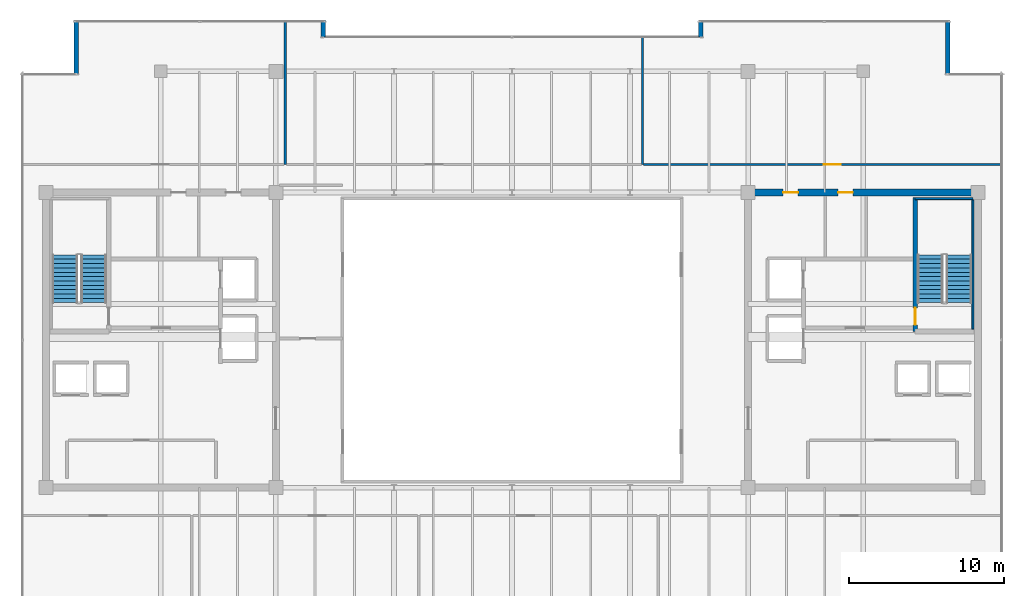
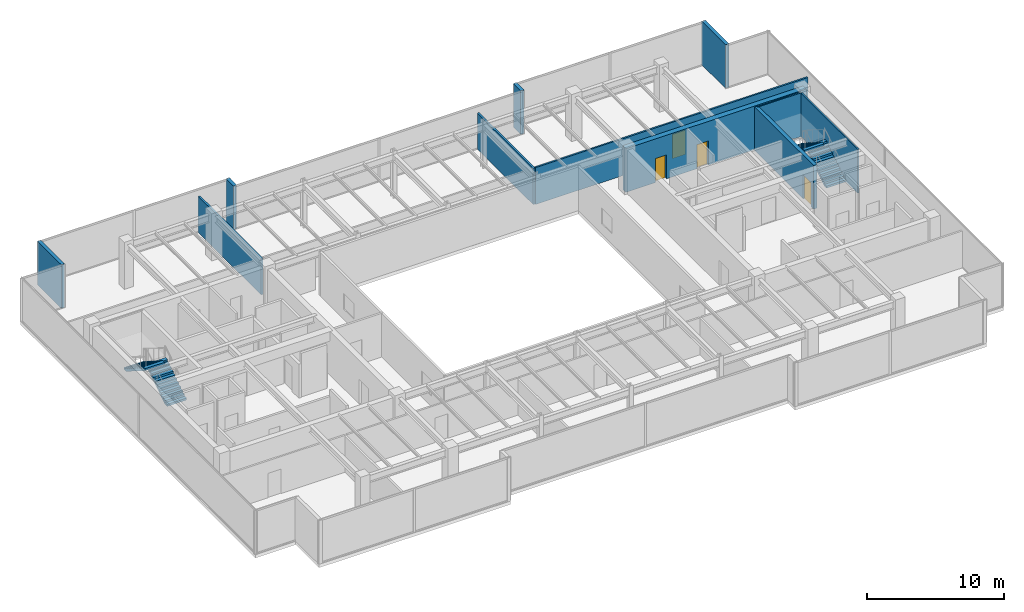
# One storey, part 29 of 31: 11 walls, 4 doors, 4 stair flights, 4 openings, 2 elements without a shape of their own.
"""IFC4 building model written with IfcOpenShell, lengths in metres."""

from ifc_helpers import new_model, si_unit, direction, frame, frame_2d, origin, place, context, subcontext, project, spatial, polyline, rectangle, outline, extrude, source, transform, mapped, material, layer, layer_set, type_object, type_shapes, element, fill, aggregate, save


model = new_model("IFC4")

# Units and contexts
model_context = context("Model", 3, precision=1e-05, world=origin(), true_north=direction((0.0, 1.0)))
body_context = subcontext(model_context, "Body", "Model", "MODEL_VIEW")
ifc_project = project(units=[si_unit("LENGTHUNIT", "METRE"), si_unit("AREAUNIT", "SQUARE_METRE"), si_unit("VOLUMEUNIT", "CUBIC_METRE"), si_unit("PLANEANGLEUNIT", "RADIAN"), si_unit("MASSUNIT", "GRAM", prefix="KILO")], contexts=[model_context])

# Site, building, storey
site_placement = place(None, origin())
site = spatial("IfcSite", under=ifc_project, at=site_placement, CompositionType="ELEMENT")
building_placement = place(site_placement, origin())
building = spatial("IfcBuilding", under=site, at=building_placement, Name="Haelvirn Gate Laboratories", CompositionType="ELEMENT")
storey_placement = place(building_placement, frame((0.0, 0.0, 318.60009765625)))
storey = spatial("IfcBuildingStorey", under=building, at=storey_placement, Name="L76", CompositionType="ELEMENT", Elevation=318.60009765625)

# Walls
ifc_material_1 = material(Name="Thermally-broken bronze aluminium rainscreen & mineral wool", Category="aluminium")
ifc_layer_1 = layer(ifc_material_1, 0.280029296875, Name="EW-TERR-280")
ifc_layer_set_1 = layer_set([ifc_layer_1], Name="Thermally-broken bronze aluminium rainscreen & mineral wool")
wall_type_1 = type_object("IfcWallType", Name="EW-TERR-280", PredefinedType="STANDARD", material=ifc_layer_set_1)
wall_1_placement = place(storey_placement, frame((65.4599609375, 41.412109375, 0.0), z_axis=(0.0, 0.0, 1.0), x_axis=(0.0, 1.0, 0.0)))
element("IfcWall", 1, at=wall_1_placement, inside=storey, type_object=wall_type_1, Name="L76 Atrium Recess Bronze Return Wall 09", PredefinedType="STANDARD", context=body_context, shape_type="SweptSolid", body=[
    extrude(rectangle(XDim=3.48779296875, YDim=0.280029296875, at=frame_2d((1.743896484375, 0.0))), origin(), (0.0, 0.0, 1.0), 3.89990234375),
])
for number, where, z_axis, x_axis, name in (
    (2, (49.5400390625, 44.89990234375, 0.0), (0.0, 0.0, 1.0), (0.0, -1.0, 0.0), "L76 Atrium Recess Bronze Return Wall 11"),
    (3, (25.260009765625, 43.806884765625, 0.0), (0.0, 0.0, 1.0), (0.0, 1.0, 0.0), "L76 Atrium Recess Bronze Return Wall 13"),
):
    element("IfcWall", number, at=place(storey_placement, frame(where, z_axis=z_axis, x_axis=x_axis)), inside=storey, type_object=wall_type_1, Name=name, PredefinedType="STANDARD", context=body_context, shape_type="SweptSolid", body=[
        extrude(rectangle(XDim=1.093017578125, YDim=0.280029296875, at=frame_2d((0.54638671875, 0.0))), origin(), (0.0, 0.0, 1.0), 3.89990234375),
    ])
wall_2_placement = place(storey_placement, frame((9.340087890625, 44.89990234375, 0.0), z_axis=(0.0, 0.0, 1.0), x_axis=(0.0, -1.0, 0.0)))
element("IfcWall", 4, at=wall_2_placement, inside=storey, type_object=wall_type_1, Name="L76 Atrium Recess Bronze Return Wall 15", PredefinedType="STANDARD", context=body_context, shape_type="SweptSolid", body=[
    extrude(rectangle(XDim=3.48779296875, YDim=0.280029296875, at=frame_2d((1.743896484375, 0.0))), origin(), (0.0, 0.0, 1.0), 3.89990234375),
])
ifc_material_2 = material(Name="Double-layer acoustic gypsum laboratory partition", Category="gypsum")
ifc_layer_2 = layer(ifc_material_2, 0.159912109375, Name="IW-ACOUST-160")
ifc_layer_set_2 = layer_set([ifc_layer_2], Name="Double-layer acoustic gypsum laboratory partition")
wall_type_2 = type_object("IfcWallType", Name="IW-ACOUST-160", PredefinedType="PARTITIONING", material=ifc_layer_set_2)
wall_3_placement = place(storey_placement, frame((22.800048828125, 35.60498046875, 0.0), z_axis=(0.0, 0.0, 1.0), x_axis=(0.0, 1.0, 0.0)))
element("IfcWall", 5, at=wall_3_placement, inside=storey, type_object=wall_type_2, Name="L76 Interior Wall IW-L76-NDIV-01", PredefinedType="PARTITIONING", context=body_context, shape_type="SweptSolid", body=[
    extrude(rectangle(XDim=9.18505859375, YDim=0.159912109375, at=frame_2d((4.592529296875, 0.0))), origin(), (0.0, 0.0, 1.0), 3.23486328125),
])
wall_4_placement = place(storey_placement, frame((45.800048828125, 35.60498046875, 0.0), z_axis=(0.0, 0.0, 1.0), x_axis=(0.0, 1.0, 0.0)))
element("IfcWall", 6, at=wall_4_placement, inside=storey, type_object=wall_type_2, Name="L76 Interior Wall IW-L76-NDIV-02", PredefinedType="PARTITIONING", context=body_context, shape_type="SweptSolid", body=[
    extrude(rectangle(XDim=8.18505859375, YDim=0.159912109375, at=frame_2d((4.092529296875, 0.0))), origin(), (0.0, 0.0, 1.0), 3.23486328125),
])

# Wall, opening, door
ifc_material_3 = material(Name="Acoustic mineral-wool gypsum board partition", Category="gypsum")
ifc_layer_3 = layer(ifc_material_3, 0.139892578125, Name="IW-PART-140")
ifc_layer_set_3 = layer_set([ifc_layer_3], Name="Acoustic mineral-wool gypsum board partition")
wall_type_3 = type_object("IfcWallType", Name="IW-PART-140", PredefinedType="PARTITIONING", material=ifc_layer_set_3)
wall_5_placement = place(storey_placement, frame((45.8798828125, 35.60498046875, 0.0), z_axis=(0.0, 0.0, 1.0), x_axis=(1.0, 0.0, 0.0)))
wall_5 = element("IfcWall", 7, at=wall_5_placement, inside=storey, type_object=wall_type_3, Name="L76 Interior Wall IW-L76-NCORR-03", PredefinedType="PARTITIONING", context=body_context, shape_type="SweptSolid", body=[
    extrude(rectangle(XDim=23.010009765625, YDim=0.139892578125, at=frame_2d((11.5048828125, 0.0))), origin(), (0.0, 0.0, 1.0), 3.296875),
])
opening_1_placement = place(wall_5_placement, frame((11.59130859375, 0.0, 0.0)))
opening_1 = element("IfcOpeningElement", 8, at=opening_1_placement, cuts=wall_5, Name="Opening D1", PredefinedType="OPENING", context=body_context, shape_type="SweptSolid", body=[
    extrude(rectangle(XDim=1.10009765625, YDim=2.179931640625, at=frame_2d((0.550048828125, 1.08984375))), frame((0.0, 0.080078125, 0.0), z_axis=(0.0, -1.0, 0.0), x_axis=(1.0, 0.0, 0.0)), (0.0, 0.0, 1.0), 0.159912109375),
])
ifc_material_4 = material(Name="Vision-panel acoustic solid-core timber lab door", Category="wood")
door_type_1 = type_object("IfcDoorType", Name="DR-LAB-1100", OperationType="NOTDEFINED", PredefinedType="DOOR", material=ifc_material_4)
shared_shape_1 = source(origin(), body_context, "Body", "SweptSolid", [
    extrude(rectangle(XDim=1.10009765625, YDim=2.179931640625, at=frame_2d((0.550048828125, 1.08984375))), frame((0.0, 0.02490234375, 0.0), z_axis=(0.0, -1.0, 0.0), x_axis=(1.0, 0.0, 0.0)), (0.0, 0.0, 1.0), 0.050048828125),
])
type_shapes(door_type_1, [shared_shape_1])
door_1_placement = place(opening_1_placement, origin())
door_1 = element("IfcDoor", 9, at=door_1_placement, inside=storey, type_object=door_type_1, Name="L76 Scientific Reference Library Door N3", OperationType="SINGLE_SWING_RIGHT", OverallHeight=2.179931640625, OverallWidth=1.10009765625, PredefinedType="DOOR", context=body_context, shape_type="MappedRepresentation", body=[
    mapped(shared_shape_1, transform((0.0, 0.0, 0.0), scale=1.0)),
])
fill(opening_1, door_1)

# Wall, openings, doors
ifc_material_5 = material(Name="Concrete C50/60", Category="concrete")
ifc_layer_4 = layer(ifc_material_5, 0.449951171875, Name="SW-CORE-450")
ifc_layer_set_4 = layer_set([ifc_layer_4], Name="Concrete C50/60")
wall_type_4 = type_object("IfcWallType", Name="SW-CORE-450", PredefinedType="SHEAR", material=ifc_layer_set_4)
wall_6_placement = place(storey_placement, frame((52.375, 33.800048828125, 0.0), z_axis=(0.0, 0.0, 1.0), x_axis=(1.0, 0.0, 0.0)))
wall_6 = element("IfcWall", 10, at=wall_6_placement, inside=storey, type_object=wall_type_4, Name="L76 E Core Shear Wall N", PredefinedType="SHEAR", context=body_context, shape_type="SweptSolid", body=[
    extrude(rectangle(XDim=15.25, YDim=0.449951171875, at=frame_2d((7.625, 0.0))), origin(), (0.0, 0.0, 1.0), 3.89990234375),
])
opening_2_placement = place(wall_6_placement, frame((6.02490234375, 0.0, 0.0)))
opening_2 = element("IfcOpeningElement", 11, at=opening_2_placement, cuts=wall_6, Name="Opening FD4", PredefinedType="OPENING", context=body_context, shape_type="SweptSolid", body=[
    extrude(rectangle(XDim=0.949951171875, YDim=2.14990234375, at=frame_2d((0.47509765625, 1.074951171875))), frame((0.0, 0.23486328125, 0.0), z_axis=(0.0, -1.0, 0.0), x_axis=(1.0, 0.0, 0.0)), (0.0, 0.0, 1.0), 0.469970703125),
])
opening_3_placement = place(wall_6_placement, frame((2.485107421875, 0.0, 0.0)))
opening_3 = element("IfcOpeningElement", 12, at=opening_3_placement, cuts=wall_6, Name="Opening FD4", PredefinedType="OPENING", context=body_context, shape_type="SweptSolid", body=[
    extrude(rectangle(XDim=0.949951171875, YDim=2.14990234375, at=frame_2d((0.47509765625, 1.074951171875))), frame((0.0, 0.23486328125, 0.0), z_axis=(0.0, -1.0, 0.0), x_axis=(1.0, 0.0, 0.0)), (0.0, 0.0, 1.0), 0.469970703125),
])
ifc_material_6 = material(Name="Fire-rated steel SM355 core service door", Category="steel")
door_type_2 = type_object("IfcDoorType", Name="DR-FD-950", OperationType="NOTDEFINED", PredefinedType="DOOR", material=ifc_material_6)
shared_shape_2 = source(origin(), body_context, "Body", "SweptSolid", [
    extrude(rectangle(XDim=0.949951171875, YDim=2.14990234375, at=frame_2d((0.47509765625, 1.074951171875))), frame((0.0, 0.02490234375, 0.0), z_axis=(0.0, -1.0, 0.0), x_axis=(1.0, 0.0, 0.0)), (0.0, 0.0, 1.0), 0.050048828125),
])
type_shapes(door_type_2, [shared_shape_2])
door_2_placement = place(opening_2_placement, origin())
door_2 = element("IfcDoor", 13, at=door_2_placement, inside=storey, type_object=door_type_2, Name="L76 Accessible Restroom Fire Door", OperationType="SINGLE_SWING_LEFT", OverallHeight=2.14990234375, OverallWidth=0.949951171875, PredefinedType="DOOR", context=body_context, shape_type="MappedRepresentation", body=[
    mapped(shared_shape_2, transform((0.0, 0.0, 0.0), scale=1.0)),
])
fill(opening_2, door_2)
door_3_placement = place(opening_3_placement, origin())
door_3 = element("IfcDoor", 14, at=door_3_placement, inside=storey, type_object=door_type_2, Name="L76 Staff Restroom Fire Door", OperationType="SINGLE_SWING_RIGHT", OverallHeight=2.14990234375, OverallWidth=0.949951171875, PredefinedType="DOOR", context=body_context, shape_type="MappedRepresentation", body=[
    mapped(shared_shape_2, transform((0.0, 0.0, 0.0), scale=1.0)),
])
fill(opening_3, door_3)

# Walls
ifc_layer_5 = layer(ifc_material_5, 0.1201171875, Name="SW-LINER-120")
ifc_layer_set_5 = layer_set([ifc_layer_5], Name="Concrete C50/60")
wall_type_5 = type_object("IfcWallType", Name="SW-LINER-120", PredefinedType="SOLIDWALL", material=ifc_layer_set_5)
wall_7_placement = place(storey_placement, frame((63.35009765625, 33.39990234375, 0.0), z_axis=(0.0, 0.0, 1.0), x_axis=(1.0, 0.0, 0.0)))
element("IfcWall", 15, at=wall_7_placement, inside=storey, type_object=wall_type_5, Name="L76 E Core Stair Shaft Liner Wall N", PredefinedType="SOLIDWALL", context=body_context, shape_type="SweptSolid", body=[
    extrude(rectangle(XDim=3.719970703125, YDim=0.1201171875, at=frame_2d((1.85986328125, 0.0))), origin(), (0.0, 0.0, 1.0), 3.89990234375),
])
wall_8_placement = place(storey_placement, frame((67.070068359375, 25.0, 0.0), z_axis=(0.0, 0.0, 1.0), x_axis=(0.0, 1.0, 0.0)))
element("IfcWall", 16, at=wall_8_placement, inside=storey, type_object=wall_type_5, Name="L76 E Core Stair Shaft Liner Wall OUT", PredefinedType="SOLIDWALL", context=body_context, shape_type="SweptSolid", body=[
    extrude(rectangle(XDim=8.320068359375, YDim=0.1201171875, at=frame_2d((4.16015625, 0.0))), origin(), (0.0, 0.0, 1.0), 3.89990234375),
])

# Wall, opening, door
ifc_layer_6 = layer(ifc_material_5, 0.300048828125, Name="SW-STAIR-300")
ifc_layer_set_6 = layer_set([ifc_layer_6], Name="Concrete C50/60")
wall_type_6 = type_object("IfcWallType", Name="SW-STAIR-300", PredefinedType="SHEAR", material=ifc_layer_set_6)
wall_9_placement = place(storey_placement, frame((63.35009765625, 24.85009765625, 0.0), z_axis=(0.0, 0.0, 1.0), x_axis=(0.0, 1.0, 0.0)))
wall_9 = element("IfcWall", 17, at=wall_9_placement, inside=storey, type_object=wall_type_6, Name="L76 E Core Stair Shaft Structural Wall IN", PredefinedType="SHEAR", context=body_context, shape_type="SweptSolid", body=[
    extrude(rectangle(XDim=8.6298828125, YDim=0.300048828125, at=frame_2d((4.31494140625, 0.0))), origin(), (0.0, 0.0, 1.0), 3.89990234375),
])
opening_4_placement = place(wall_9_placement, frame((0.419921875, 0.0, 0.0)))
opening_4 = element("IfcOpeningElement", 18, at=opening_4_placement, cuts=wall_9, Name="Opening FD3", PredefinedType="OPENING", context=body_context, shape_type="SweptSolid", body=[
    extrude(rectangle(XDim=1.10009765625, YDim=2.14990234375, at=frame_2d((0.550048828125, 1.074951171875))), frame((0.0, 0.16015625, 0.0), z_axis=(0.0, -1.0, 0.0), x_axis=(1.0, 0.0, 0.0)), (0.0, 0.0, 1.0), 0.320068359375),
])
ifc_material_7 = material(Name="Fire-rated steel SM355 escape stair door", Category="steel")
door_type_3 = type_object("IfcDoorType", Name="DR-FD-1100", OperationType="NOTDEFINED", PredefinedType="DOOR", material=ifc_material_7)
shared_shape_3 = source(origin(), body_context, "Body", "SweptSolid", [
    extrude(rectangle(XDim=1.10009765625, YDim=2.14990234375, at=frame_2d((0.550048828125, 1.074951171875))), frame((0.0, 0.02490234375, 0.0), z_axis=(0.0, -1.0, 0.0), x_axis=(1.0, 0.0, 0.0)), (0.0, 0.0, 1.0), 0.050048828125),
])
type_shapes(door_type_3, [shared_shape_3])
door_4_placement = place(opening_4_placement, origin())
door_4 = element("IfcDoor", 19, at=door_4_placement, inside=storey, type_object=door_type_3, Name="L76 Escape Stair ST2 Fire Door", OperationType="SINGLE_SWING_RIGHT", OverallHeight=2.14990234375, OverallWidth=1.10009765625, PredefinedType="DOOR", context=body_context, shape_type="MappedRepresentation", body=[
    mapped(shared_shape_3, transform((0.0, 0.0, 0.0), scale=1.0)),
])
fill(opening_4, door_4)

# Stair, stair flights
ifc_material_8 = material(Name="Concrete C40/50", Category="concrete")
stair_type = type_object("IfcStairType", Name="ST-DOG-1650-R24", PredefinedType="HALF_TURN_STAIR", material=ifc_material_8)
stair_1_placement = place(storey_placement, origin())
stair_1 = element("IfcStair", 20, at=stair_1_placement, inside=storey, type_object=stair_type, Name="L76 Escape Stair ST1", PredefinedType="HALF_TURN_STAIR")
stair_flight_type = type_object("IfcStairFlightType", Name="STF-1650-R12", PredefinedType="STRAIGHT", material=ifc_material_8)
shared_shape_4 = source(origin(), body_context, "Body", "SweptSolid", [
    extrude(outline(polyline([(0.0, 0.0), (0.0, 0.175048828125), (0.280029296875, 0.175048828125), (0.280029296875, 0.35009765625), (0.56005859375, 0.35009765625), (0.56005859375, 0.52490234375), (0.840087890625, 0.52490234375), (0.840087890625, 0.699951171875), (1.1201171875, 0.699951171875), (1.1201171875, 0.875), (1.39990234375, 0.875), (1.39990234375, 1.050048828125), (1.679931640625, 1.050048828125), (1.679931640625, 1.22509765625), (1.9599609375, 1.22509765625), (1.9599609375, 1.39990234375), (2.239990234375, 1.39990234375), (2.239990234375, 1.574951171875), (2.52001953125, 1.574951171875), (2.52001953125, 1.75), (2.800048828125, 1.75), (2.800048828125, 1.925048828125), (3.080078125, 1.925048828125), (3.080078125, 2.10009765625), (3.080078125, 1.736328125), (0.3017578125, 0.0), (0.0, 0.0)])), frame((0.0, 0.824951171875, 0.0), z_axis=(0.0, -1.0, 0.0), x_axis=(1.0, 0.0, 0.0)), (0.0, 0.0, 1.0), 1.64990234375),
])
type_shapes(stair_flight_type, [shared_shape_4])
stair_flight_1_placement = place(storey_placement, frame((10.47509765625, 26.699951171875, 0.0), z_axis=(0.0, 0.0, 1.0), x_axis=(0.0, 1.0, 0.0)))
stair_flight_1 = element("IfcStairFlight", 21, at=stair_flight_1_placement, type_object=stair_flight_type, Name="ST1 flight 1", NumberOfRisers=12, NumberOfTreads=11, PredefinedType="STRAIGHT", RiserHeight=0.175, TreadLength=0.28, context=body_context, shape_type="MappedRepresentation", body=[
    mapped(shared_shape_4, transform((0.0, 0.0, 0.0), scale=1.0)),
])
stair_flight_2_placement = place(storey_placement, frame((8.625, 29.780029296875, 2.099853515625), z_axis=(0.0, 0.0, 1.0), x_axis=(0.0, -1.0, 0.0)))
stair_flight_2 = element("IfcStairFlight", 22, at=stair_flight_2_placement, type_object=stair_flight_type, Name="ST1 flight 2", NumberOfRisers=12, NumberOfTreads=11, PredefinedType="STRAIGHT", RiserHeight=0.175, TreadLength=0.28, context=body_context, shape_type="MappedRepresentation", body=[
    mapped(shared_shape_4, transform((0.0, 0.0, 0.0), scale=1.0)),
])
aggregate(stair_1, [stair_flight_1, stair_flight_2])

stair_2_placement = place(storey_placement, origin())
stair_2 = element("IfcStair", 23, at=stair_2_placement, inside=storey, type_object=stair_type, Name="L76 Escape Stair ST2", PredefinedType="HALF_TURN_STAIR")
stair_flight_3_placement = place(storey_placement, frame((66.175048828125, 26.699951171875, 0.0), z_axis=(0.0, 0.0, 1.0), x_axis=(0.0, 1.0, 0.0)))
stair_flight_3 = element("IfcStairFlight", 24, at=stair_flight_3_placement, type_object=stair_flight_type, Name="ST2 flight 1", NumberOfRisers=12, NumberOfTreads=11, PredefinedType="STRAIGHT", RiserHeight=0.175, TreadLength=0.28, context=body_context, shape_type="MappedRepresentation", body=[
    mapped(shared_shape_4, transform((0.0, 0.0, 0.0), scale=1.0)),
])
stair_flight_4_placement = place(storey_placement, frame((64.324951171875, 29.780029296875, 2.099853515625), z_axis=(0.0, 0.0, 1.0), x_axis=(0.0, -1.0, 0.0)))
stair_flight_4 = element("IfcStairFlight", 25, at=stair_flight_4_placement, type_object=stair_flight_type, Name="ST2 flight 2", NumberOfRisers=12, NumberOfTreads=11, PredefinedType="STRAIGHT", RiserHeight=0.175, TreadLength=0.28, context=body_context, shape_type="MappedRepresentation", body=[
    mapped(shared_shape_4, transform((0.0, 0.0, 0.0), scale=1.0)),
])
aggregate(stair_2, [stair_flight_3, stair_flight_4])

save(model, "model.ifc")
